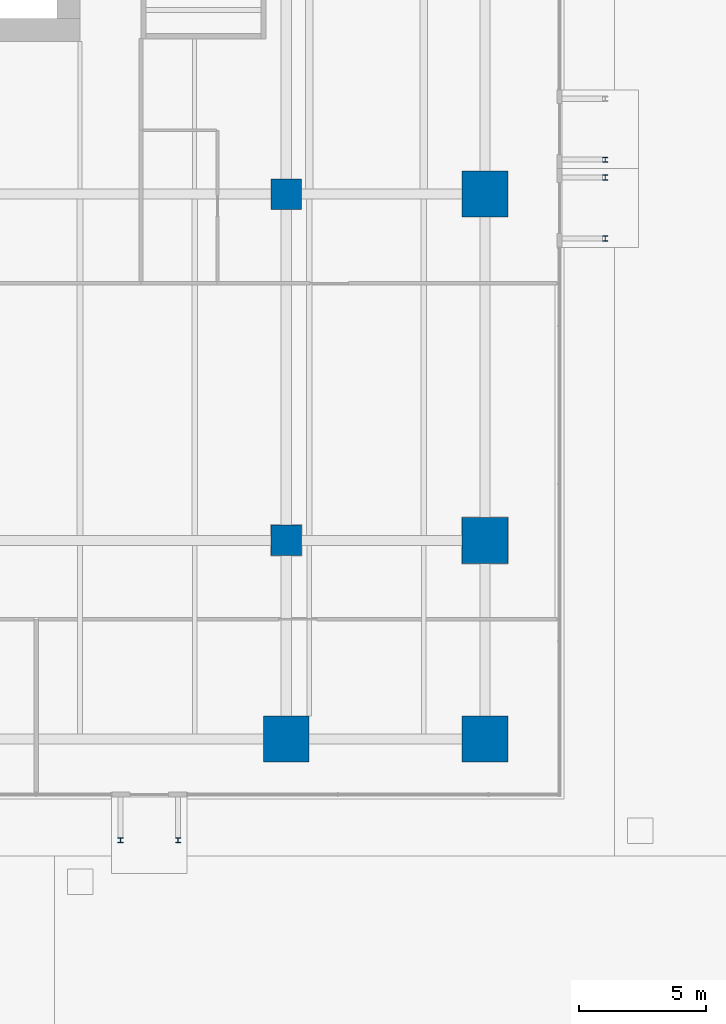
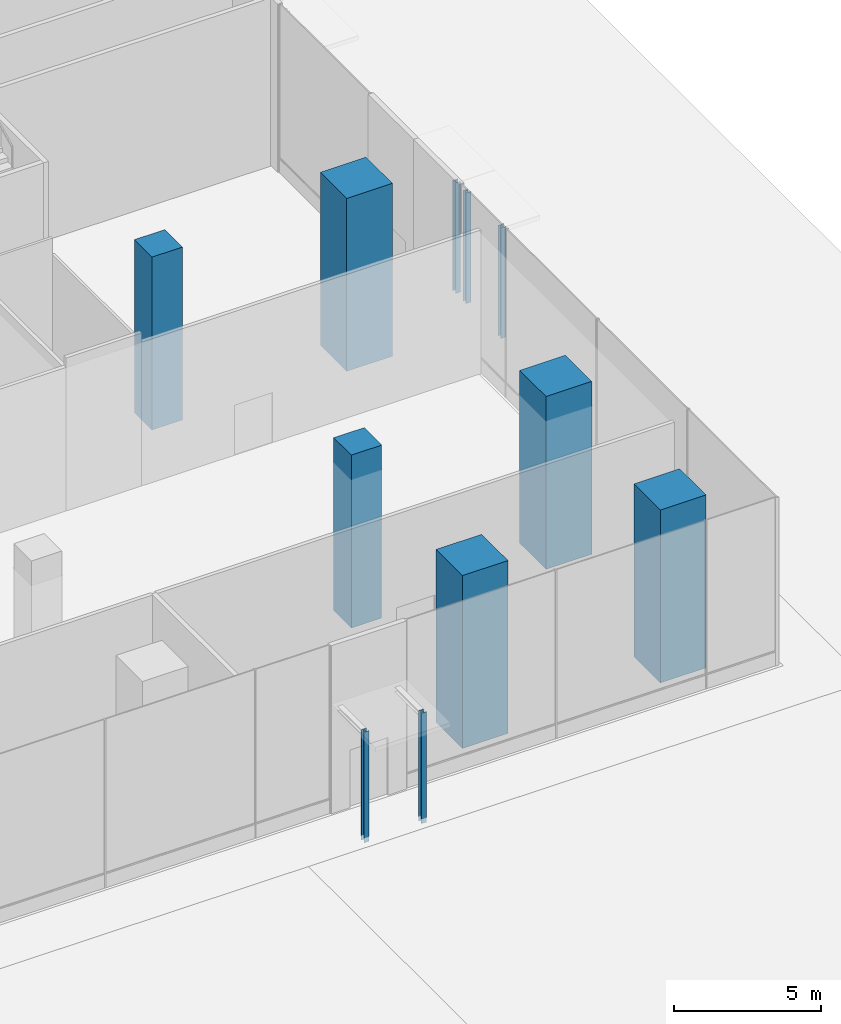
# One storey, part 6 of 41: 11 columns.
"""IFC4 building model written with IfcOpenShell, lengths in metres."""

from ifc_helpers import new_model, si_unit, direction, frame, origin, origin_2d, place, context, subcontext, project, spatial, rectangle, i_section, extrude, material, material_profile, profile_set, type_object, element, save


model = new_model("IFC4")

# Units and contexts
model_context = context("Model", 3, precision=1e-05, world=origin(), true_north=direction((0.0, 1.0)))
body_context = subcontext(model_context, "Body", "Model", "MODEL_VIEW")
ifc_project = project(units=[si_unit("LENGTHUNIT", "METRE"), si_unit("AREAUNIT", "SQUARE_METRE"), si_unit("VOLUMEUNIT", "CUBIC_METRE"), si_unit("PLANEANGLEUNIT", "RADIAN"), si_unit("MASSUNIT", "GRAM", prefix="KILO")], contexts=[model_context])

# Site, building, storey
site_placement = place(None, origin())
site = spatial("IfcSite", under=ifc_project, at=site_placement, CompositionType="ELEMENT")
building_placement = place(site_placement, origin())
building = spatial("IfcBuilding", under=site, at=building_placement, Name="Rattan Terrace Tower", CompositionType="ELEMENT")
storey_placement = place(building_placement, origin())
storey = spatial("IfcBuildingStorey", under=building, at=storey_placement, Name="L00", CompositionType="ELEMENT", Elevation=0.0)

# Columns
ifc_material_1 = material(Name="Structural steel S355", Category="steel")
ifc_material_profile_1 = material_profile(ifc_material_1, i_section(OverallWidth=0.199951171875, OverallDepth=0.199951171875, WebThickness=0.009033203125, FlangeThickness=0.014892578125, FilletRadius=0.01806640625, at=origin_2d()), Name="HE 200 B")
ifc_profile_set_1 = profile_set([ifc_material_profile_1], Name="Structural steel S355")
column_type_1 = type_object("IfcColumnType", Name="Canopy post HE 200 B", PredefinedType="COLUMN", material=ifc_profile_set_1)
for number, where, z_axis, x_axis, name in (
    (1, (38.6298828125, -15.241943359375, -0.199951171875), (0.0, 0.0, 1.0), (1.0, 0.0, 0.0), "Canopy post 001a"),
    (2, (38.6298828125, -12.847900390625, -0.199951171875), (0.0, 0.0, 1.0), (1.0, 0.0, 0.0), "Canopy post 001b"),
    (3, (38.6298828125, -12.14794921875, -0.199951171875), (0.0, 0.0, 1.0), (1.0, 0.0, 0.0), "Canopy post 006a"),
    (4, (19.590087890625, -38.8798828125, -0.199951171875), (0.0, 0.0, 1.0), (1.0, 0.0, 0.0), "Canopy post 061a"),
    (5, (21.85009765625, -38.8798828125, -0.199951171875), (0.0, 0.0, 1.0), (1.0, 0.0, 0.0), "Canopy post 061b"),
):
    element("IfcColumn", number, at=place(storey_placement, frame(where, z_axis=z_axis, x_axis=x_axis)), inside=storey, type_object=column_type_1, Name=name, PredefinedType="COLUMN", context=body_context, shape_type="SweptSolid", body=[
        extrude(i_section(OverallWidth=0.199951171875, OverallDepth=0.199951171875, WebThickness=0.009033203125, FlangeThickness=0.014892578125, FilletRadius=0.01806640625, at=origin_2d()), origin(), (0.0, 0.0, 1.0), 4.599853515625),
    ])
ifc_material_2 = material(Name="Concrete C60/75", Category="concrete")
ifc_material_profile_2 = material_profile(ifc_material_2, rectangle(XDim=1.800048828125, YDim=1.800048828125, at=origin_2d()), Name="CFT 1800x1800")
ifc_profile_set_2 = profile_set([ifc_material_profile_2], Name="Concrete C60/75")
column_type_2 = type_object("IfcColumnType", Name="Frame exoskeleton column CFT 1800x1800", PredefinedType="COLUMN", material=ifc_profile_set_2)
for number, where, z_axis, x_axis, name in (
    (6, (33.89990234375, -34.89990234375, -0.199951171875), (0.0, 0.0, 1.0), (1.0, 0.0, 0.0), "exo-L00-002"),
    (7, (26.10009765625, -34.89990234375, -0.199951171875), (0.0, 0.0, 1.0), (1.0, 0.0, 0.0), "exo-L00-009"),
    (8, (33.89990234375, -27.10009765625, -0.199951171875), (0.0, 0.0, 1.0), (0.0, 1.0, 0.0), "exo-L00-011"),
    (9, (33.89990234375, -13.5, -0.199951171875), (0.0, 0.0, 1.0), (0.0, 1.0, 0.0), "exo-L00-013"),
):
    element("IfcColumn", number, at=place(storey_placement, frame(where, z_axis=z_axis, x_axis=x_axis)), inside=storey, type_object=column_type_2, Name=name, PredefinedType="COLUMN", context=body_context, shape_type="SweptSolid", body=[
        extrude(rectangle(XDim=1.800048828125, YDim=1.800048828125, at=origin_2d()), origin(), (0.0, 0.0, 1.0), 7.199951171875),
    ])
ifc_material_3 = material(Name="Concrete C60/75", Category="concrete")
ifc_material_profile_3 = material_profile(ifc_material_3, rectangle(XDim=1.199951171875, YDim=1.199951171875, at=origin_2d()), Name="RC 1200x1200")
ifc_profile_set_3 = profile_set([ifc_material_profile_3], Name="Concrete C60/75")
column_type_3 = type_object("IfcColumnType", Name="Frame interior column RC 1200x1200", PredefinedType="COLUMN", material=ifc_profile_set_3)
for number, where, z_axis, x_axis, name in (
    (10, (26.10009765625, -27.10009765625, -0.199951171875), (0.0, 0.0, 1.0), (1.0, 0.0, 0.0), "col-L00-005"),
    (11, (26.10009765625, -13.5, -0.199951171875), (0.0, 0.0, 1.0), (1.0, 0.0, 0.0), "col-L00-010"),
):
    element("IfcColumn", number, at=place(storey_placement, frame(where, z_axis=z_axis, x_axis=x_axis)), inside=storey, type_object=column_type_3, Name=name, PredefinedType="COLUMN", context=body_context, shape_type="SweptSolid", body=[
        extrude(rectangle(XDim=1.199951171875, YDim=1.199951171875, at=origin_2d()), origin(), (0.0, 0.0, 1.0), 7.199951171875),
    ])

save(model, "model.ifc")
